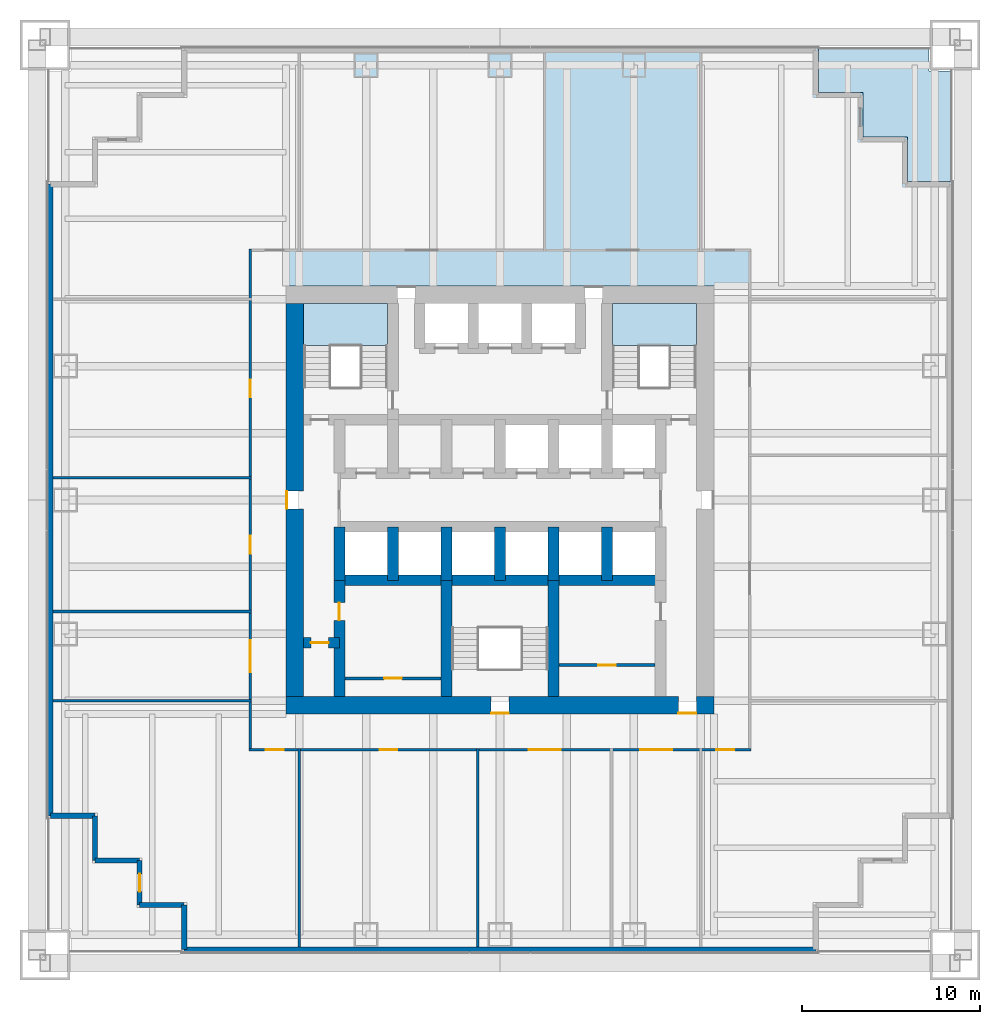
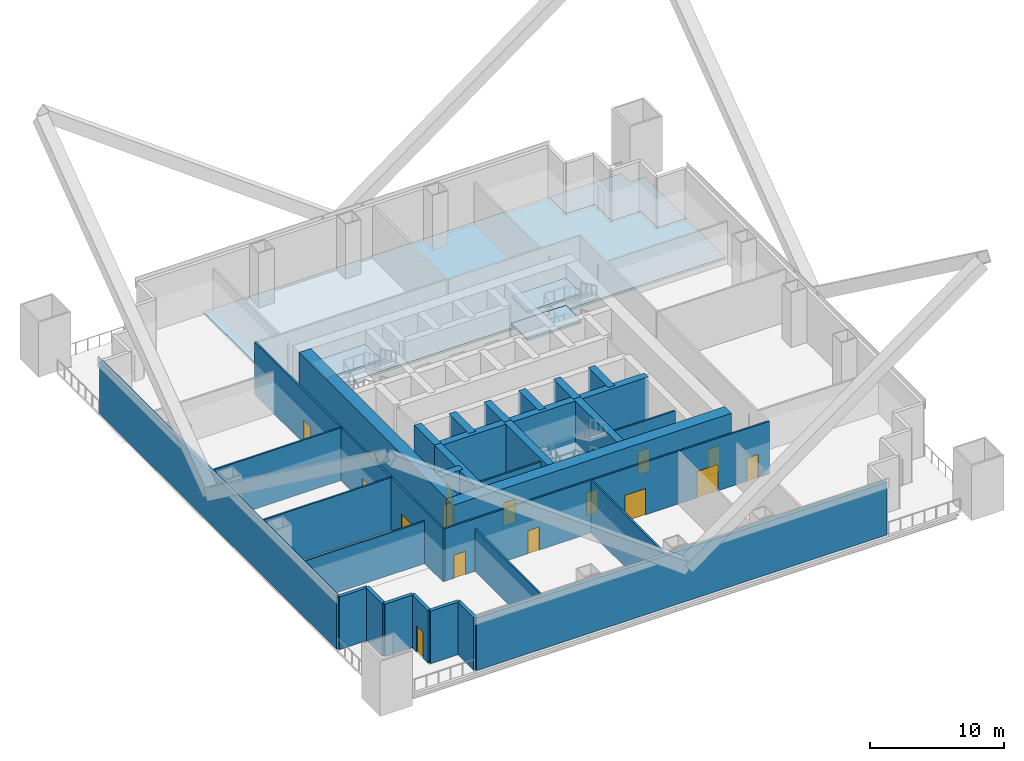
# One storey, part 2 of 6: 30 walls, 16 doors, 5 slabs, 16 openings, 2 elements without a shape of their own.
"""IFC4 building model written with IfcOpenShell, lengths in metres."""

from ifc_helpers import new_model, si_unit, direction, frame, frame_2d, origin, place, context, subcontext, project, spatial, polyline, rectangle, outline, extrude, material, layer, layer_set, type_object, element, fill, aggregate, save


model = new_model("IFC4")

# Units and contexts
model_context = context("Model", 3, precision=1e-05, world=origin(), true_north=direction((0.0, 1.0)))
body_context = subcontext(model_context, "Body", "Model", "MODEL_VIEW")
ifc_project = project(units=[si_unit("LENGTHUNIT", "METRE"), si_unit("AREAUNIT", "SQUARE_METRE"), si_unit("VOLUMEUNIT", "CUBIC_METRE"), si_unit("PLANEANGLEUNIT", "RADIAN"), si_unit("MASSUNIT", "GRAM", prefix="KILO")], contexts=[model_context])

# Site, building, storey
site_placement = place(None, origin())
site = spatial("IfcSite", under=ifc_project, at=site_placement, CompositionType="ELEMENT")
building_placement = place(site_placement, origin())
building = spatial("IfcBuilding", under=site, at=building_placement, Name="Tarangal Relay Tower", CompositionType="ELEMENT")
storey_placement = place(building_placement, frame((0.0, 0.0, 38.39990234375)))
storey = spatial("IfcBuildingStorey", under=building, at=storey_placement, Name="L07", CompositionType="ELEMENT", Elevation=38.39990234375)

# Slab
ifc_material_1 = material(Name="Concrete fc' 35 MPa", Category="concrete")
ifc_layer_1 = layer(ifc_material_1, 0.199951171875)
ifc_layer_set_1 = layer_set([ifc_layer_1], Name="Floor slab 200")
slab_type_1 = type_object("IfcSlabType", Name="Floor slab 200", PredefinedType="FLOOR", material=ifc_layer_set_1)
slab_1_placement = place(storey_placement, frame((0.0, 0.0, -0.199951171875)))
element("IfcSlab", 1, at=slab_1_placement, inside=storey, type_object=slab_type_1, Name="Floor slab FS2 L07 north bay", PredefinedType="FLOOR", context=body_context, shape_type="SweptSolid", body=[
    extrude(outline(polyline([(17.85009765625, 25.35009765625), (17.85009765625, 22.85009765625), (20.35009765625, 22.85009765625), (20.35009765625, 20.35009765625), (22.85009765625, 20.35009765625), (22.85009765625, 17.85009765625), (25.35009765625, 17.85009765625), (25.35009765625, 12.0), (-12.0, 12.0), (-12.0, 25.35009765625), (17.85009765625, 25.35009765625)])), origin(), (0.0, 0.0, 1.0), 0.199951171875),
])

# Stair, slab
ifc_material_2 = material(Name="Steel ASTM A992 stair flight", Category="steel")
stair_type = type_object("IfcStairType", Name="Core stair 1500", PredefinedType="HALF_TURN_STAIR", material=ifc_material_2)
stair_1_placement = place(storey_placement, origin())
stair_1 = element("IfcStair", 2, at=stair_1_placement, inside=storey, type_object=stair_type, Name="Stair ST-A L07", PredefinedType="HALF_TURN_STAIR")
ifc_layer_2 = layer(ifc_material_1, 0.199951171875)
ifc_layer_set_2 = layer_set([ifc_layer_2], Name="Stair landing 200")
slab_type_2 = type_object("IfcSlabType", Name="Stair landing 200", PredefinedType="LANDING", material=ifc_layer_set_2)
slab_2_placement = place(storey_placement, frame((0.0, 0.0, 3.550048828125)))
slab_2 = element("IfcSlab", 3, at=slab_2_placement, type_object=slab_type_2, Name="ST-A landing 4", PredefinedType="LANDING", context=body_context, shape_type="SweptSolid", body=[
    extrude(outline(polyline([(-11.0, 8.64501953125), (-6.300048828125, 8.64501953125), (-6.300048828125, 11.0), (-11.0, 11.0), (-11.0, 8.64501953125)])), origin(), (0.0, 0.0, 1.0), 0.199951171875),
])
aggregate(stair_1, [slab_2])

# Stair, slabs
stair_2_placement = place(storey_placement, origin())
stair_2 = element("IfcStair", 4, at=stair_2_placement, inside=storey, type_object=stair_type, Name="Stair ST-B L07", PredefinedType="HALF_TURN_STAIR")
slab_3_placement = place(storey_placement, frame((0.0, 0.0, 1.050048828125)))
slab_3 = element("IfcSlab", 5, at=slab_3_placement, type_object=slab_type_2, Name="ST-B landing 2", PredefinedType="LANDING", context=body_context, shape_type="SweptSolid", body=[
    extrude(outline(polyline([(6.300048828125, 8.64501953125), (11.0, 8.64501953125), (11.0, 11.0), (6.300048828125, 11.0), (6.300048828125, 8.64501953125)])), origin(), (0.0, 0.0, 1.0), 0.199951171875),
])
slab_4_placement = place(storey_placement, frame((0.0, 0.0, 3.550048828125)))
slab_4 = element("IfcSlab", 6, at=slab_4_placement, type_object=slab_type_2, Name="ST-B landing 4", PredefinedType="LANDING", context=body_context, shape_type="SweptSolid", body=[
    extrude(outline(polyline([(6.300048828125, 8.64501953125), (11.0, 8.64501953125), (11.0, 11.0), (6.300048828125, 11.0), (6.300048828125, 8.64501953125)])), origin(), (0.0, 0.0, 1.0), 0.199951171875),
])
aggregate(stair_2, [slab_3, slab_4])

# Slab
ifc_layer_3 = layer(ifc_material_1, 0.199951171875)
ifc_layer_set_3 = layer_set([ifc_layer_3], Name="Terrace slab 200")
slab_type_3 = type_object("IfcSlabType", Name="Terrace slab 200", PredefinedType="FLOOR", material=ifc_layer_set_3)
slab_5_placement = place(storey_placement, frame((0.0, 0.0, -0.199951171875)))
element("IfcSlab", 7, at=slab_5_placement, inside=storey, type_object=slab_type_3, Name="Corner terrace NE L07", PredefinedType="FLOOR", context=body_context, shape_type="SweptSolid", body=[
    extrude(outline(polyline([(17.85009765625, 25.35009765625), (17.85009765625, 22.85009765625), (20.35009765625, 22.85009765625), (20.35009765625, 20.35009765625), (22.85009765625, 20.35009765625), (22.85009765625, 17.85009765625), (25.35009765625, 17.85009765625), (25.35009765625, 24.050048828125), (24.050048828125, 24.050048828125), (24.050048828125, 25.35009765625), (17.85009765625, 25.35009765625)])), origin(), (0.0, 0.0, 1.0), 0.199951171875),
])

# Wall
ifc_material_3 = material(Name="Concrete fc' 60 MPa", Category="concrete")
ifc_layer_4 = layer(ifc_material_3, 0.60009765625)
ifc_layer_set_4 = layer_set([ifc_layer_4], Name="Core inner wall 600")
wall_type_1 = type_object("IfcWallType", Name="Core inner wall 600", PredefinedType="SHEAR", material=ifc_layer_set_4)
wall_1_placement = place(storey_placement, frame((-9.0, -4.5, 0.0), z_axis=(0.0, 0.0, 1.0), x_axis=(1.0, 0.0, 0.0)))
element("IfcWall", 8, at=wall_1_placement, inside=storey, type_object=wall_type_1, Name="Core wall YM45 L07", PredefinedType="SHEAR", context=body_context, shape_type="SweptSolid", body=[
    extrude(rectangle(XDim=18.0, YDim=0.60009765625, at=frame_2d((9.0, 0.0))), origin(), (0.0, 0.0, 1.0), 5.0),
])

# Wall, opening, door
wall_2_placement = place(storey_placement, frame((-11.0, -8.0, 0.0), z_axis=(0.0, 0.0, 1.0), x_axis=(1.0, 0.0, 0.0)))
wall_2 = element("IfcWall", 9, at=wall_2_placement, inside=storey, type_object=wall_type_1, Name="Core wall YM8 L07", PredefinedType="SHEAR", context=body_context, shape_type="SweptSolid", body=[
    extrude(rectangle(XDim=2.0, YDim=0.60009765625, at=frame_2d((1.0, 0.0))), origin(), (0.0, 0.0, 1.0), 5.0),
])
opening_1_placement = place(wall_2_placement, frame((0.39990234375, 0.0, 0.0)))
opening_1 = element("IfcOpeningElement", 10, at=opening_1_placement, cuts=wall_2, Name="Opening D1", PredefinedType="OPENING", context=body_context, shape_type="SweptSolid", body=[
    extrude(rectangle(XDim=1.0, YDim=2.10009765625, at=frame_2d((0.5, 1.050048828125))), frame((0.0, 0.31005859375, 0.0), z_axis=(0.0, -1.0, 0.0), x_axis=(1.0, 0.0, 0.0)), (0.0, 0.0, 1.0), 0.6201171875),
])
ifc_material_4 = material(Name="Hardwood door", Category="wood")
door_type_1 = type_object("IfcDoorType", Name="WC door 1000 x 2100", OperationType="SINGLE_SWING_LEFT", PredefinedType="DOOR", material=ifc_material_4)
door_1_placement = place(opening_1_placement, origin())
door_1 = element("IfcDoor", 11, at=door_1_placement, inside=storey, type_object=door_type_1, Name="Accessible WC door L07", OperationType="SINGLE_SWING_LEFT", OverallHeight=2.10009765625, OverallWidth=1.0, PredefinedType="DOOR", context=body_context, shape_type="SweptSolid", body=[
    extrude(rectangle(XDim=1.0, YDim=2.10009765625, at=frame_2d((0.5, 1.050048828125))), frame((0.0, 0.02490234375, 0.0), z_axis=(0.0, -1.0, 0.0), x_axis=(1.0, 0.0, 0.0)), (0.0, 0.0, 1.0), 0.050048828125),
])
fill(opening_1, door_1)

# Walls
for number, where, z_axis, x_axis, name in (
    (12, (-9.0, -4.5, 0.0), (0.0, 0.0, 1.0), (0.0, 1.0, 0.0), "Core wall XM9S L07"),
    (13, (-6.0, -4.5, 0.0), (0.0, 0.0, 1.0), (0.0, 1.0, 0.0), "Core wall XM6S L07"),
    (14, (-3.0, -4.5, 0.0), (0.0, 0.0, 1.0), (0.0, 1.0, 0.0), "Core wall XM3S L07"),
    (15, (0.0, -4.5, 0.0), (0.0, 0.0, 1.0), (0.0, 1.0, 0.0), "Core wall X0S L07"),
    (16, (3.0, -4.5, 0.0), (0.0, 0.0, 1.0), (0.0, 1.0, 0.0), "Core wall X3S L07"),
    (17, (6.0, -4.5, 0.0), (0.0, 0.0, 1.0), (0.0, 1.0, 0.0), "Core wall X6S L07"),
):
    element("IfcWall", number, at=place(storey_placement, frame(where, z_axis=z_axis, x_axis=x_axis)), inside=storey, type_object=wall_type_1, Name=name, PredefinedType="SHEAR", context=body_context, shape_type="SweptSolid", body=[
        extrude(rectangle(XDim=3.0, YDim=0.60009765625, at=frame_2d((1.5, 0.0))), origin(), (0.0, 0.0, 1.0), 5.0),
    ])

# Wall, opening, door
wall_3_placement = place(storey_placement, frame((-9.0, -11.0, 0.0), z_axis=(0.0, 0.0, 1.0), x_axis=(0.0, 1.0, 0.0)))
wall_3 = element("IfcWall", 18, at=wall_3_placement, inside=storey, type_object=wall_type_1, Name="Core wall XM9W L07", PredefinedType="SHEAR", context=body_context, shape_type="SweptSolid", body=[
    extrude(rectangle(XDim=6.5, YDim=0.60009765625, at=frame_2d((3.25, 0.0))), origin(), (0.0, 0.0, 1.0), 5.0),
])
opening_2_placement = place(wall_3_placement, frame((4.25, 0.0, 0.0)))
opening_2 = element("IfcOpeningElement", 19, at=opening_2_placement, cuts=wall_3, Name="Opening D1", PredefinedType="OPENING", context=body_context, shape_type="SweptSolid", body=[
    extrude(rectangle(XDim=1.0, YDim=2.10009765625, at=frame_2d((0.5, 1.050048828125))), frame((0.0, 0.31005859375, 0.0), z_axis=(0.0, -1.0, 0.0), x_axis=(1.0, 0.0, 0.0)), (0.0, 0.0, 1.0), 0.6201171875),
])
door_2_placement = place(opening_2_placement, origin())
door_2 = element("IfcDoor", 20, at=door_2_placement, inside=storey, type_object=door_type_1, Name="Male WC door L07", OperationType="SINGLE_SWING_LEFT", OverallHeight=2.10009765625, OverallWidth=1.0, PredefinedType="DOOR", context=body_context, shape_type="SweptSolid", body=[
    extrude(rectangle(XDim=1.0, YDim=2.10009765625, at=frame_2d((0.5, 1.050048828125))), frame((0.0, 0.02490234375, 0.0), z_axis=(0.0, -1.0, 0.0), x_axis=(1.0, 0.0, 0.0)), (0.0, 0.0, 1.0), 0.050048828125),
])
fill(opening_2, door_2)

# Walls
for number, where, z_axis, x_axis, name in (
    (21, (-3.0, -11.0, 0.0), (0.0, 0.0, 1.0), (0.0, 1.0, 0.0), "Core wall XM3W L07"),
    (22, (3.0, -11.0, 0.0), (0.0, 0.0, 1.0), (0.0, 1.0, 0.0), "Core wall X3W L07"),
):
    element("IfcWall", number, at=place(storey_placement, frame(where, z_axis=z_axis, x_axis=x_axis)), inside=storey, type_object=wall_type_1, Name=name, PredefinedType="SHEAR", context=body_context, shape_type="SweptSolid", body=[
        extrude(rectangle(XDim=6.5, YDim=0.60009765625, at=frame_2d((3.25, 0.0))), origin(), (0.0, 0.0, 1.0), 5.0),
    ])

# Wall, openings, doors
ifc_layer_5 = layer(ifc_material_3, 1.0)
ifc_layer_set_5 = layer_set([ifc_layer_5], Name="Core wall 1000")
wall_type_2 = type_object("IfcWallType", Name="Core wall 1000", PredefinedType="SHEAR", material=ifc_layer_set_5)
wall_4_placement = place(storey_placement, frame((12.0, -11.5, 0.0), z_axis=(0.0, 0.0, 1.0), x_axis=(-1.0, 0.0, 0.0)))
wall_4 = element("IfcWall", 23, at=wall_4_placement, inside=storey, type_object=wall_type_2, Name="Core wall S L07", PredefinedType="SHEAR", context=body_context, shape_type="SweptSolid", body=[
    extrude(rectangle(XDim=24.0, YDim=1.0, at=frame_2d((12.0, 0.0))), origin(), (0.0, 0.0, 1.0), 5.0),
])
opening_3_placement = place(wall_4_placement, frame((11.5, 0.0, 0.0)))
opening_3 = element("IfcOpeningElement", 24, at=opening_3_placement, cuts=wall_4, Name="Opening FD1", PredefinedType="OPENING", context=body_context, shape_type="SweptSolid", body=[
    extrude(rectangle(XDim=1.0, YDim=2.10009765625, at=frame_2d((0.5, 1.050048828125))), frame((0.0, 0.510009765625, 0.0), z_axis=(0.0, -1.0, 0.0), x_axis=(1.0, 0.0, 0.0)), (0.0, 0.0, 1.0), 1.02001953125),
])
opening_4_placement = place(wall_4_placement, frame((1.0, 0.0, 0.0)))
opening_4 = element("IfcOpeningElement", 25, at=opening_4_placement, cuts=wall_4, Name="Opening FD3", PredefinedType="OPENING", context=body_context, shape_type="SweptSolid", body=[
    extrude(rectangle(XDim=1.0, YDim=2.39990234375, at=frame_2d((0.5, 1.199951171875))), frame((0.0, 0.510009765625, 0.0), z_axis=(0.0, -1.0, 0.0), x_axis=(1.0, 0.0, 0.0)), (0.0, 0.0, 1.0), 1.02001953125),
])
ifc_material_5 = material(Name="Steel door with hardwood frame", Category="steel")
door_type_2 = type_object("IfcDoorType", Name="Fire door 1000 x 2100", OperationType="SINGLE_SWING_LEFT", PredefinedType="DOOR", material=ifc_material_5)
door_3_placement = place(opening_3_placement, origin())
door_3 = element("IfcDoor", 26, at=door_3_placement, inside=storey, type_object=door_type_2, Name="Stair ST-C door L07", OperationType="SINGLE_SWING_LEFT", OverallHeight=2.10009765625, OverallWidth=1.0, PredefinedType="DOOR", context=body_context, shape_type="SweptSolid", body=[
    extrude(rectangle(XDim=1.0, YDim=2.10009765625, at=frame_2d((0.5, 1.050048828125))), frame((0.0, 0.48486328125, 0.0), z_axis=(0.0, -1.0, 0.0), x_axis=(1.0, 0.0, 0.0)), (0.0, 0.0, 1.0), 0.050048828125),
])
fill(opening_3, door_3)
door_type_3 = type_object("IfcDoorType", Name="Fire door 1000 x 2400 core entry", OperationType="SINGLE_SWING_RIGHT", PredefinedType="DOOR", material=ifc_material_5)
door_4_placement = place(opening_4_placement, origin())
door_4 = element("IfcDoor", 27, at=door_4_placement, inside=storey, type_object=door_type_3, Name="Core entry door south east L07", OperationType="SINGLE_SWING_RIGHT", OverallHeight=2.39990234375, OverallWidth=1.0, PredefinedType="DOOR", context=body_context, shape_type="SweptSolid", body=[
    extrude(rectangle(XDim=1.0, YDim=2.39990234375, at=frame_2d((0.5, 1.199951171875))), frame((0.0, 0.48486328125, 0.0), z_axis=(0.0, -1.0, 0.0), x_axis=(1.0, 0.0, 0.0)), (0.0, 0.0, 1.0), 0.050048828125),
])
fill(opening_4, door_4)

# Wall, opening, door
wall_5_placement = place(storey_placement, frame((-11.5, -11.0, 0.0), z_axis=(0.0, 0.0, 1.0), x_axis=(0.0, 1.0, 0.0)))
wall_5 = element("IfcWall", 28, at=wall_5_placement, inside=storey, type_object=wall_type_2, Name="Core wall W L07", PredefinedType="SHEAR", context=body_context, shape_type="SweptSolid", body=[
    extrude(rectangle(XDim=22.0, YDim=1.0, at=frame_2d((11.0, 0.0))), origin(), (0.0, 0.0, 1.0), 5.0),
])
opening_5_placement = place(wall_5_placement, frame((10.5, 0.0, 0.0)))
opening_5 = element("IfcOpeningElement", 29, at=opening_5_placement, cuts=wall_5, Name="Opening FD3", PredefinedType="OPENING", context=body_context, shape_type="SweptSolid", body=[
    extrude(rectangle(XDim=1.0, YDim=2.39990234375, at=frame_2d((0.5, 1.199951171875))), frame((0.0, 0.510009765625, 0.0), z_axis=(0.0, -1.0, 0.0), x_axis=(1.0, 0.0, 0.0)), (0.0, 0.0, 1.0), 1.02001953125),
])
door_5_placement = place(opening_5_placement, origin())
door_5 = element("IfcDoor", 30, at=door_5_placement, inside=storey, type_object=door_type_3, Name="Core entry door west L07", OperationType="SINGLE_SWING_RIGHT", OverallHeight=2.39990234375, OverallWidth=1.0, PredefinedType="DOOR", context=body_context, shape_type="SweptSolid", body=[
    extrude(rectangle(XDim=1.0, YDim=2.39990234375, at=frame_2d((0.5, 1.199951171875))), frame((0.0, 0.48486328125, 0.0), z_axis=(0.0, -1.0, 0.0), x_axis=(1.0, 0.0, 0.0)), (0.0, 0.0, 1.0), 0.050048828125),
])
fill(opening_5, door_5)

# Walls
ifc_material_6 = material(Name="Insulated precast concrete fc' 40 MPa", Category="concrete")
ifc_layer_6 = layer(ifc_material_6, 0.300048828125)
ifc_layer_set_6 = layer_set([ifc_layer_6], Name="Insulated precast concrete fc' 40 MPa")
wall_type_3 = type_object("IfcWallType", Name="Facade wall precast 300", PredefinedType="SOLIDWALL", material=ifc_layer_set_6)
wall_6_placement = place(storey_placement, frame((17.699951171875, -25.199951171875, 0.0), z_axis=(0.0, 0.0, 1.0), x_axis=(-1.0, 0.0, 0.0)))
element("IfcWall", 31, at=wall_6_placement, inside=storey, type_object=wall_type_3, Name="Facade wall S facade L07", PredefinedType="SOLIDWALL", context=body_context, shape_type="SweptSolid", body=[
    extrude(rectangle(XDim=35.39990234375, YDim=0.300048828125, at=frame_2d((17.699951171875, 0.0))), origin(), (0.0, 0.0, 1.0), 4.800048828125),
])
for number, where, z_axis, x_axis, name in (
    (32, (-17.699951171875, -25.199951171875, 0.0), (0.0, 0.0, 1.0), (0.0, 1.0, 0.0), "Facade wall S facade L07"),
    (33, (-17.699951171875, -22.699951171875, 0.0), (0.0, 0.0, 1.0), (-1.0, 0.0, 0.0), "Facade wall S facade L07"),
):
    element("IfcWall", number, at=place(storey_placement, frame(where, z_axis=z_axis, x_axis=x_axis)), inside=storey, type_object=wall_type_3, Name=name, PredefinedType="SOLIDWALL", context=body_context, shape_type="SweptSolid", body=[
        extrude(rectangle(XDim=2.5, YDim=0.300048828125, at=frame_2d((1.25, 0.0))), origin(), (0.0, 0.0, 1.0), 4.800048828125),
    ])

# Wall, opening, door
wall_7_placement = place(storey_placement, frame((-20.199951171875, -22.699951171875, 0.0), z_axis=(0.0, 0.0, 1.0), x_axis=(0.0, 1.0, 0.0)))
wall_7 = element("IfcWall", 34, at=wall_7_placement, inside=storey, type_object=wall_type_3, Name="Facade wall S facade L07", PredefinedType="SOLIDWALL", context=body_context, shape_type="SweptSolid", body=[
    extrude(rectangle(XDim=2.5, YDim=0.300048828125, at=frame_2d((1.25, 0.0))), origin(), (0.0, 0.0, 1.0), 4.800048828125),
])
opening_6_placement = place(wall_7_placement, frame((0.75, 0.0, 0.0)))
opening_6 = element("IfcOpeningElement", 35, at=opening_6_placement, cuts=wall_7, Name="Opening TD1", PredefinedType="OPENING", context=body_context, shape_type="SweptSolid", body=[
    extrude(rectangle(XDim=1.0, YDim=2.39990234375, at=frame_2d((0.5, 1.199951171875))), frame((0.0, 0.159912109375, 0.0), z_axis=(0.0, -1.0, 0.0), x_axis=(1.0, 0.0, 0.0)), (0.0, 0.0, 1.0), 0.320068359375),
])
ifc_material_7 = material(Name="Aluminium glazed door", Category="aluminium")
door_type_4 = type_object("IfcDoorType", Name="Terrace door 1000 x 2400", OperationType="SINGLE_SWING_RIGHT", PredefinedType="DOOR", material=ifc_material_7)
door_6_placement = place(opening_6_placement, origin())
door_6 = element("IfcDoor", 36, at=door_6_placement, inside=storey, type_object=door_type_4, Name="Terrace door TD1 SW L07", OperationType="SINGLE_SWING_RIGHT", OverallHeight=2.39990234375, OverallWidth=1.0, PredefinedType="DOOR", context=body_context, shape_type="SweptSolid", body=[
    extrude(rectangle(XDim=1.0, YDim=2.39990234375, at=frame_2d((0.5, 1.199951171875))), frame((0.0, 0.02490234375, 0.0), z_axis=(0.0, -1.0, 0.0), x_axis=(1.0, 0.0, 0.0)), (0.0, 0.0, 1.0), 0.050048828125),
])
fill(opening_6, door_6)

# Walls
for number, where, z_axis, x_axis, name in (
    (37, (-20.199951171875, -20.199951171875, 0.0), (0.0, 0.0, 1.0), (-1.0, 0.0, 0.0), "Facade wall S facade L07"),
    (38, (-22.699951171875, -20.199951171875, 0.0), (0.0, 0.0, 1.0), (0.0, 1.0, 0.0), "Facade wall S facade L07"),
    (39, (-22.699951171875, -17.699951171875, 0.0), (0.0, 0.0, 1.0), (-1.0, 0.0, 0.0), "Facade wall S facade L07"),
):
    element("IfcWall", number, at=place(storey_placement, frame(where, z_axis=z_axis, x_axis=x_axis)), inside=storey, type_object=wall_type_3, Name=name, PredefinedType="SOLIDWALL", context=body_context, shape_type="SweptSolid", body=[
        extrude(rectangle(XDim=2.5, YDim=0.300048828125, at=frame_2d((1.25, 0.0))), origin(), (0.0, 0.0, 1.0), 4.800048828125),
    ])
wall_8_placement = place(storey_placement, frame((-25.199951171875, -17.699951171875, 0.0), z_axis=(0.0, 0.0, 1.0), x_axis=(0.0, 1.0, 0.0)))
element("IfcWall", 40, at=wall_8_placement, inside=storey, type_object=wall_type_3, Name="Facade wall W facade L07", PredefinedType="SOLIDWALL", context=body_context, shape_type="SweptSolid", body=[
    extrude(rectangle(XDim=35.39990234375, YDim=0.300048828125, at=frame_2d((17.699951171875, 0.0))), origin(), (0.0, 0.0, 1.0), 4.800048828125),
])

# Wall, openings, doors
ifc_material_8 = material(Name="Gypsum board on steel studs", Category="steel")
ifc_layer_7 = layer(ifc_material_8, 0.14990234375)
ifc_layer_set_7 = layer_set([ifc_layer_7], Name="Partition 150")
wall_type_4 = type_object("IfcWallType", Name="Partition 150", PredefinedType="PARTITIONING", material=ifc_layer_set_7)
wall_9_placement = place(storey_placement, frame((-14.074951171875, -14.0, 0.0), z_axis=(0.0, 0.0, 1.0), x_axis=(1.0, 0.0, 0.0)))
wall_9 = element("IfcWall", 41, at=wall_9_placement, inside=storey, type_object=wall_type_4, Name="Partition PT1 L07", PredefinedType="PARTITIONING", context=body_context, shape_type="SweptSolid", body=[
    extrude(rectangle(XDim=28.14990234375, YDim=0.14990234375, at=frame_2d((14.074951171875, 0.0))), origin(), (0.0, 0.0, 1.0), 4.800048828125),
])
opening_7_placement = place(wall_9_placement, frame((21.925048828125, 0.0, 0.0)))
opening_7 = element("IfcOpeningElement", 42, at=opening_7_placement, cuts=wall_9, Name="Opening DD1", PredefinedType="OPENING", context=body_context, shape_type="SweptSolid", body=[
    extrude(rectangle(XDim=1.800048828125, YDim=2.39990234375, at=frame_2d((0.89990234375, 1.199951171875))), frame((0.0, 0.0849609375, 0.0), z_axis=(0.0, -1.0, 0.0), x_axis=(1.0, 0.0, 0.0)), (0.0, 0.0, 1.0), 0.169921875),
])
opening_8_placement = place(wall_9_placement, frame((15.675048828125, 0.0, 0.0)))
opening_8 = element("IfcOpeningElement", 43, at=opening_8_placement, cuts=wall_9, Name="Opening DD1", PredefinedType="OPENING", context=body_context, shape_type="SweptSolid", body=[
    extrude(rectangle(XDim=1.800048828125, YDim=2.39990234375, at=frame_2d((0.89990234375, 1.199951171875))), frame((0.0, 0.0849609375, 0.0), z_axis=(0.0, -1.0, 0.0), x_axis=(1.0, 0.0, 0.0)), (0.0, 0.0, 1.0), 0.169921875),
])
opening_9_placement = place(wall_9_placement, frame((7.324951171875, 0.0, 0.0)))
opening_9 = element("IfcOpeningElement", 44, at=opening_9_placement, cuts=wall_9, Name="Opening D2", PredefinedType="OPENING", context=body_context, shape_type="SweptSolid", body=[
    extrude(rectangle(XDim=1.0, YDim=2.10009765625, at=frame_2d((0.5, 1.050048828125))), frame((0.0, 0.0849609375, 0.0), z_axis=(0.0, -1.0, 0.0), x_axis=(1.0, 0.0, 0.0)), (0.0, 0.0, 1.0), 0.169921875),
])
opening_10_placement = place(wall_9_placement, frame((26.199951171875, 0.0, 0.0)))
opening_10 = element("IfcOpeningElement", 45, at=opening_10_placement, cuts=wall_9, Name="Opening D2", PredefinedType="OPENING", context=body_context, shape_type="SweptSolid", body=[
    extrude(rectangle(XDim=1.0, YDim=2.10009765625, at=frame_2d((0.5, 1.050048828125))), frame((0.0, 0.0849609375, 0.0), z_axis=(0.0, -1.0, 0.0), x_axis=(1.0, 0.0, 0.0)), (0.0, 0.0, 1.0), 0.169921875),
])
opening_11_placement = place(wall_9_placement, frame((0.949951171875, 0.0, 0.0)))
opening_11 = element("IfcOpeningElement", 46, at=opening_11_placement, cuts=wall_9, Name="Opening D2", PredefinedType="OPENING", context=body_context, shape_type="SweptSolid", body=[
    extrude(rectangle(XDim=1.0, YDim=2.10009765625, at=frame_2d((0.5, 1.050048828125))), frame((0.0, 0.0849609375, 0.0), z_axis=(0.0, -1.0, 0.0), x_axis=(1.0, 0.0, 0.0)), (0.0, 0.0, 1.0), 0.169921875),
])
door_type_5 = type_object("IfcDoorType", Name="Door 1000 x 2100", OperationType="SINGLE_SWING_LEFT", PredefinedType="DOOR", material=ifc_material_4)
door_7_placement = place(opening_9_placement, origin())
door_7 = element("IfcDoor", 47, at=door_7_placement, inside=storey, type_object=door_type_5, Name="Door D2 to rack staging room L07-08", OperationType="SINGLE_SWING_LEFT", OverallHeight=2.10009765625, OverallWidth=1.0, PredefinedType="DOOR", context=body_context, shape_type="SweptSolid", body=[
    extrude(rectangle(XDim=1.0, YDim=2.10009765625, at=frame_2d((0.5, 1.050048828125))), frame((0.0, 0.02490234375, 0.0), z_axis=(0.0, -1.0, 0.0), x_axis=(1.0, 0.0, 0.0)), (0.0, 0.0, 1.0), 0.050048828125),
])
fill(opening_9, door_7)
door_8_placement = place(opening_10_placement, origin())
door_8 = element("IfcDoor", 48, at=door_8_placement, inside=storey, type_object=door_type_5, Name="Door D2 to shift engineer office L07-13", OperationType="SINGLE_SWING_LEFT", OverallHeight=2.10009765625, OverallWidth=1.0, PredefinedType="DOOR", context=body_context, shape_type="SweptSolid", body=[
    extrude(rectangle(XDim=1.0, YDim=2.10009765625, at=frame_2d((0.5, 1.050048828125))), frame((0.0, 0.02490234375, 0.0), z_axis=(0.0, -1.0, 0.0), x_axis=(1.0, 0.0, 0.0)), (0.0, 0.0, 1.0), 0.050048828125),
])
fill(opening_10, door_8)
door_9_placement = place(opening_11_placement, origin())
door_9 = element("IfcDoor", 49, at=door_9_placement, inside=storey, type_object=door_type_5, Name="Door D2 to security office L07-14", OperationType="SINGLE_SWING_LEFT", OverallHeight=2.10009765625, OverallWidth=1.0, PredefinedType="DOOR", context=body_context, shape_type="SweptSolid", body=[
    extrude(rectangle(XDim=1.0, YDim=2.10009765625, at=frame_2d((0.5, 1.050048828125))), frame((0.0, 0.02490234375, 0.0), z_axis=(0.0, -1.0, 0.0), x_axis=(1.0, 0.0, 0.0)), (0.0, 0.0, 1.0), 0.050048828125),
])
fill(opening_11, door_9)
door_type_6 = type_object("IfcDoorType", Name="Equipment double door 1800 x 2400", OperationType="DOUBLE_DOOR_SINGLE_SWING", PredefinedType="DOOR", material=ifc_material_5)
door_10_placement = place(opening_7_placement, origin())
door_10 = element("IfcDoor", 50, at=door_10_placement, inside=storey, type_object=door_type_6, Name="Door DD1 to electrical room L07-06", OperationType="DOUBLE_DOOR_SINGLE_SWING", OverallHeight=2.39990234375, OverallWidth=1.800048828125, PredefinedType="DOOR", context=body_context, shape_type="SweptSolid", body=[
    extrude(rectangle(XDim=1.800048828125, YDim=2.39990234375, at=frame_2d((0.89990234375, 1.199951171875))), frame((0.0, 0.02490234375, 0.0), z_axis=(0.0, -1.0, 0.0), x_axis=(1.0, 0.0, 0.0)), (0.0, 0.0, 1.0), 0.050048828125),
])
fill(opening_7, door_10)
door_11_placement = place(opening_8_placement, origin())
door_11 = element("IfcDoor", 51, at=door_11_placement, inside=storey, type_object=door_type_6, Name="Door DD1 to network equipment room L07-07", OperationType="DOUBLE_DOOR_SINGLE_SWING", OverallHeight=2.39990234375, OverallWidth=1.800048828125, PredefinedType="DOOR", context=body_context, shape_type="SweptSolid", body=[
    extrude(rectangle(XDim=1.800048828125, YDim=2.39990234375, at=frame_2d((0.89990234375, 1.199951171875))), frame((0.0, 0.02490234375, 0.0), z_axis=(0.0, -1.0, 0.0), x_axis=(1.0, 0.0, 0.0)), (0.0, 0.0, 1.0), 0.050048828125),
])
fill(opening_8, door_11)

# Walls
wall_10_placement = place(storey_placement, frame((-25.050048828125, -11.25, 0.0), z_axis=(0.0, 0.0, 1.0), x_axis=(1.0, 0.0, 0.0)))
element("IfcWall", 52, at=wall_10_placement, inside=storey, type_object=wall_type_4, Name="Partition PT1 L07", PredefinedType="PARTITIONING", context=body_context, shape_type="SweptSolid", body=[
    extrude(rectangle(XDim=11.125, YDim=0.14990234375, at=frame_2d((5.5625, 0.0))), origin(), (0.0, 0.0, 1.0), 3.852783203125),
])
for number, where, z_axis, x_axis, name in (
    (53, (-25.050048828125, -6.25, 0.0), (0.0, 0.0, 1.0), (1.0, 0.0, 0.0), "Partition PT1 L07"),
    (54, (-25.050048828125, 1.25, 0.0), (0.0, 0.0, 1.0), (1.0, 0.0, 0.0), "Partition PT1 L07"),
):
    element("IfcWall", number, at=place(storey_placement, frame(where, z_axis=z_axis, x_axis=x_axis)), inside=storey, type_object=wall_type_4, Name=name, PredefinedType="PARTITIONING", context=body_context, shape_type="SweptSolid", body=[
        extrude(rectangle(XDim=11.125, YDim=0.14990234375, at=frame_2d((5.5625, 0.0))), origin(), (0.0, 0.0, 1.0), 4.800048828125),
    ])

# Wall, openings, doors
wall_11_placement = place(storey_placement, frame((-14.0, -14.074951171875, 0.0), z_axis=(0.0, 0.0, 1.0), x_axis=(0.0, 1.0, 0.0)))
wall_11 = element("IfcWall", 55, at=wall_11_placement, inside=storey, type_object=wall_type_4, Name="Partition PT1 L07", PredefinedType="PARTITIONING", context=body_context, shape_type="SweptSolid", body=[
    extrude(rectangle(XDim=28.14990234375, YDim=0.14990234375, at=frame_2d((14.074951171875, 0.0))), origin(), (0.0, 0.0, 1.0), 4.800048828125),
])
opening_12_placement = place(wall_11_placement, frame((4.425048828125, 0.0, 0.0)))
opening_12 = element("IfcOpeningElement", 56, at=opening_12_placement, cuts=wall_11, Name="Opening DD1", PredefinedType="OPENING", context=body_context, shape_type="SweptSolid", body=[
    extrude(rectangle(XDim=1.800048828125, YDim=2.39990234375, at=frame_2d((0.89990234375, 1.199951171875))), frame((0.0, 0.0849609375, 0.0), z_axis=(0.0, -1.0, 0.0), x_axis=(1.0, 0.0, 0.0)), (0.0, 0.0, 1.0), 0.169921875),
])
opening_13_placement = place(wall_11_placement, frame((11.074951171875, 0.0, 0.0)))
opening_13 = element("IfcOpeningElement", 57, at=opening_13_placement, cuts=wall_11, Name="Opening D2", PredefinedType="OPENING", context=body_context, shape_type="SweptSolid", body=[
    extrude(rectangle(XDim=1.0, YDim=2.10009765625, at=frame_2d((0.5, 1.050048828125))), frame((0.0, 0.0849609375, 0.0), z_axis=(0.0, -1.0, 0.0), x_axis=(1.0, 0.0, 0.0)), (0.0, 0.0, 1.0), 0.169921875),
])
opening_14_placement = place(wall_11_placement, frame((19.824951171875, 0.0, 0.0)))
opening_14 = element("IfcOpeningElement", 58, at=opening_14_placement, cuts=wall_11, Name="Opening D2", PredefinedType="OPENING", context=body_context, shape_type="SweptSolid", body=[
    extrude(rectangle(XDim=1.0, YDim=2.10009765625, at=frame_2d((0.5, 1.050048828125))), frame((0.0, 0.0849609375, 0.0), z_axis=(0.0, -1.0, 0.0), x_axis=(1.0, 0.0, 0.0)), (0.0, 0.0, 1.0), 0.169921875),
])
door_12_placement = place(opening_13_placement, origin())
door_12 = element("IfcDoor", 59, at=door_12_placement, inside=storey, type_object=door_type_5, Name="Door D2 to customer office L07-10", OperationType="SINGLE_SWING_LEFT", OverallHeight=2.10009765625, OverallWidth=1.0, PredefinedType="DOOR", context=body_context, shape_type="SweptSolid", body=[
    extrude(rectangle(XDim=1.0, YDim=2.10009765625, at=frame_2d((0.5, 1.050048828125))), frame((0.0, 0.02490234375, 0.0), z_axis=(0.0, -1.0, 0.0), x_axis=(1.0, 0.0, 0.0)), (0.0, 0.0, 1.0), 0.050048828125),
])
fill(opening_13, door_12)
door_13_placement = place(opening_14_placement, origin())
door_13 = element("IfcDoor", 60, at=door_13_placement, inside=storey, type_object=door_type_5, Name="Door D2 to account manager office L07-11", OperationType="SINGLE_SWING_LEFT", OverallHeight=2.10009765625, OverallWidth=1.0, PredefinedType="DOOR", context=body_context, shape_type="SweptSolid", body=[
    extrude(rectangle(XDim=1.0, YDim=2.10009765625, at=frame_2d((0.5, 1.050048828125))), frame((0.0, 0.02490234375, 0.0), z_axis=(0.0, -1.0, 0.0), x_axis=(1.0, 0.0, 0.0)), (0.0, 0.0, 1.0), 0.050048828125),
])
fill(opening_14, door_13)
door_14_placement = place(opening_12_placement, origin())
door_14 = element("IfcDoor", 61, at=door_14_placement, inside=storey, type_object=door_type_6, Name="Door DD1 to gas suppression cylinder room L07-09", OperationType="DOUBLE_DOOR_SINGLE_SWING", OverallHeight=2.39990234375, OverallWidth=1.800048828125, PredefinedType="DOOR", context=body_context, shape_type="SweptSolid", body=[
    extrude(rectangle(XDim=1.800048828125, YDim=2.39990234375, at=frame_2d((0.89990234375, 1.199951171875))), frame((0.0, 0.02490234375, 0.0), z_axis=(0.0, -1.0, 0.0), x_axis=(1.0, 0.0, 0.0)), (0.0, 0.0, 1.0), 0.050048828125),
])
fill(opening_12, door_14)

# Walls
wall_12_placement = place(storey_placement, frame((-11.25, -25.050048828125, 0.0), z_axis=(0.0, 0.0, 1.0), x_axis=(0.0, 1.0, 0.0)))
element("IfcWall", 62, at=wall_12_placement, inside=storey, type_object=wall_type_4, Name="Partition PT1 L07", PredefinedType="PARTITIONING", context=body_context, shape_type="SweptSolid", body=[
    extrude(rectangle(XDim=11.125, YDim=0.14990234375, at=frame_2d((5.5625, 0.0))), origin(), (0.0, 0.0, 1.0), 3.852783203125),
])
wall_13_placement = place(storey_placement, frame((-1.25, -25.050048828125, 0.0), z_axis=(0.0, 0.0, 1.0), x_axis=(0.0, 1.0, 0.0)))
element("IfcWall", 63, at=wall_13_placement, inside=storey, type_object=wall_type_4, Name="Partition PT1 L07", PredefinedType="PARTITIONING", context=body_context, shape_type="SweptSolid", body=[
    extrude(rectangle(XDim=11.125, YDim=0.14990234375, at=frame_2d((5.5625, 0.0))), origin(), (0.0, 0.0, 1.0), 4.800048828125),
])

# Wall, opening, door
wall_14_placement = place(storey_placement, frame((-8.699951171875, -10.0, 0.0), z_axis=(0.0, 0.0, 1.0), x_axis=(1.0, 0.0, 0.0)))
wall_14 = element("IfcWall", 64, at=wall_14_placement, inside=storey, type_object=wall_type_4, Name="Partition PT1 L07", PredefinedType="PARTITIONING", context=body_context, shape_type="SweptSolid", body=[
    extrude(rectangle(XDim=5.39990234375, YDim=0.14990234375, at=frame_2d((2.699951171875, 0.0))), origin(), (0.0, 0.0, 1.0), 4.75),
])
opening_15_placement = place(wall_14_placement, frame((2.199951171875, 0.0, 0.0)))
opening_15 = element("IfcOpeningElement", 65, at=opening_15_placement, cuts=wall_14, Name="Opening D1", PredefinedType="OPENING", context=body_context, shape_type="SweptSolid", body=[
    extrude(rectangle(XDim=1.0, YDim=2.10009765625, at=frame_2d((0.5, 1.050048828125))), frame((0.0, 0.0849609375, 0.0), z_axis=(0.0, -1.0, 0.0), x_axis=(1.0, 0.0, 0.0)), (0.0, 0.0, 1.0), 0.169921875),
])
door_15_placement = place(opening_15_placement, origin())
door_15 = element("IfcDoor", 66, at=door_15_placement, inside=storey, type_object=door_type_1, Name="Door D1 to male shower room L07-C7B", OperationType="SINGLE_SWING_LEFT", OverallHeight=2.10009765625, OverallWidth=1.0, PredefinedType="DOOR", context=body_context, shape_type="SweptSolid", body=[
    extrude(rectangle(XDim=1.0, YDim=2.10009765625, at=frame_2d((0.5, 1.050048828125))), frame((0.0, 0.02490234375, 0.0), z_axis=(0.0, -1.0, 0.0), x_axis=(1.0, 0.0, 0.0)), (0.0, 0.0, 1.0), 0.050048828125),
])
fill(opening_15, door_15)

wall_15_placement = place(storey_placement, frame((3.300048828125, -9.25, 0.0), z_axis=(0.0, 0.0, 1.0), x_axis=(1.0, 0.0, 0.0)))
wall_15 = element("IfcWall", 67, at=wall_15_placement, inside=storey, type_object=wall_type_4, Name="Partition PT1 L07", PredefinedType="PARTITIONING", context=body_context, shape_type="SweptSolid", body=[
    extrude(rectangle(XDim=5.39990234375, YDim=0.14990234375, at=frame_2d((2.699951171875, 0.0))), origin(), (0.0, 0.0, 1.0), 4.75),
])
opening_16_placement = place(wall_15_placement, frame((2.199951171875, 0.0, 0.0)))
opening_16 = element("IfcOpeningElement", 68, at=opening_16_placement, cuts=wall_15, Name="Opening D1", PredefinedType="OPENING", context=body_context, shape_type="SweptSolid", body=[
    extrude(rectangle(XDim=1.0, YDim=2.10009765625, at=frame_2d((0.5, 1.050048828125))), frame((0.0, 0.0849609375, 0.0), z_axis=(0.0, -1.0, 0.0), x_axis=(1.0, 0.0, 0.0)), (0.0, 0.0, 1.0), 0.169921875),
])
door_16_placement = place(opening_16_placement, origin())
door_16 = element("IfcDoor", 69, at=door_16_placement, inside=storey, type_object=door_type_1, Name="Door D1 to female shower and changing room L07-C10B", OperationType="SINGLE_SWING_LEFT", OverallHeight=2.10009765625, OverallWidth=1.0, PredefinedType="DOOR", context=body_context, shape_type="SweptSolid", body=[
    extrude(rectangle(XDim=1.0, YDim=2.10009765625, at=frame_2d((0.5, 1.050048828125))), frame((0.0, 0.02490234375, 0.0), z_axis=(0.0, -1.0, 0.0), x_axis=(1.0, 0.0, 0.0)), (0.0, 0.0, 1.0), 0.050048828125),
])
fill(opening_16, door_16)

save(model, "model.ifc")
